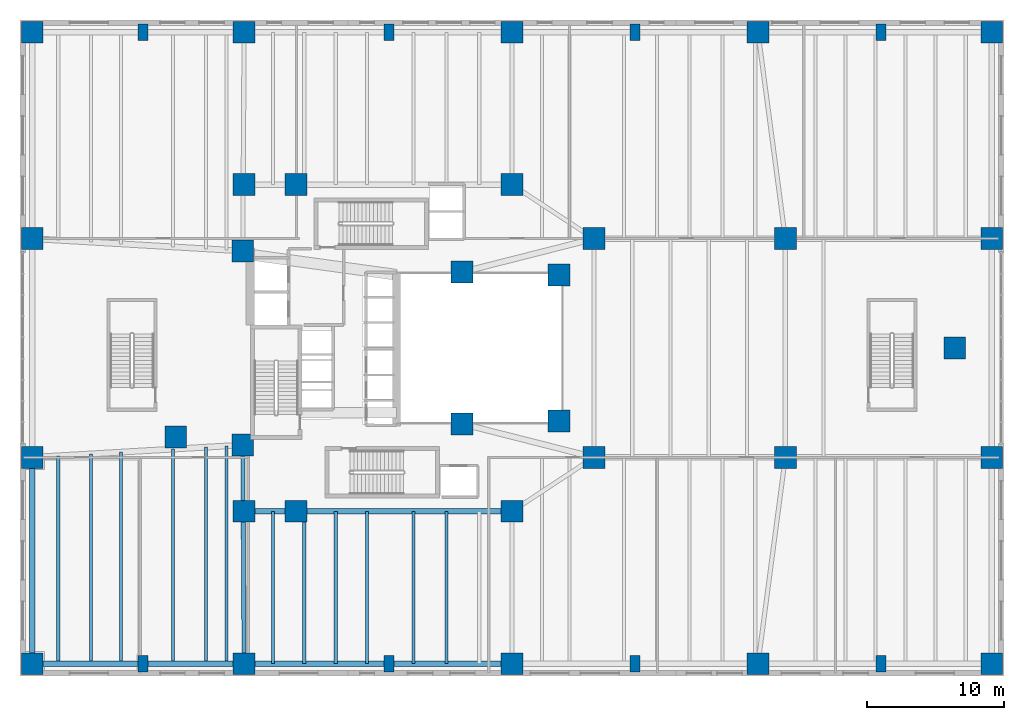
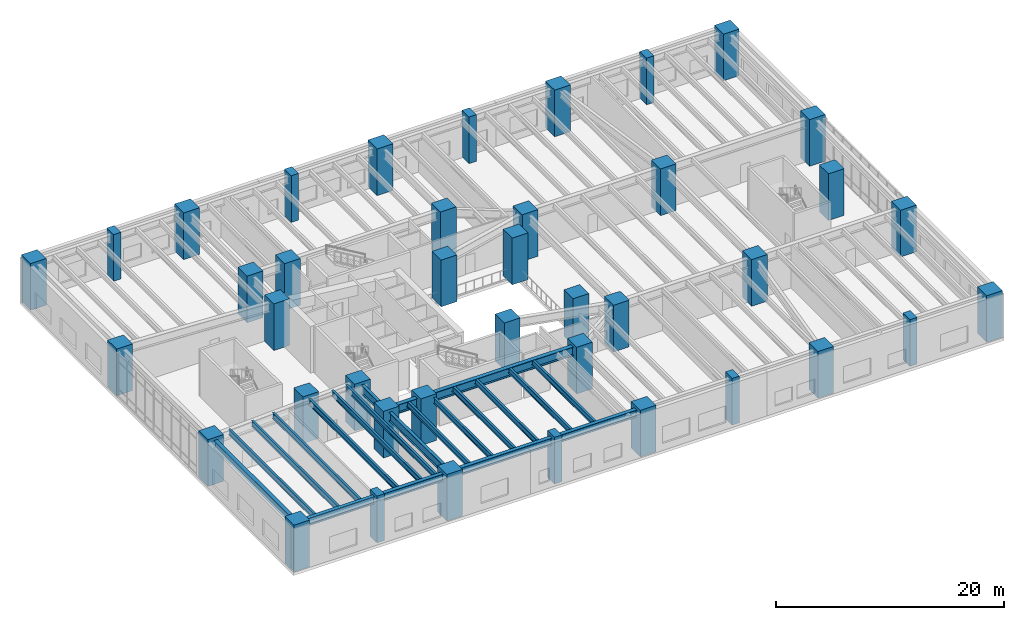
# One storey, part 1 of 18: 40 columns, 19 beams.
"""IFC4 building model written with IfcOpenShell, lengths in metres."""

from ifc_helpers import new_model, si_unit, direction, frame, origin, origin_2d, place, context, subcontext, project, spatial, rectangle, i_section, extrude, material, material_profile, profile_set, type_object, element, save


model = new_model("IFC4")

# Units and contexts
model_context = context("Model", 3, precision=1e-05, world=origin(), true_north=direction((0.0, 1.0)))
body_context = subcontext(model_context, "Body", "Model", "MODEL_VIEW")
ifc_project = project(units=[si_unit("LENGTHUNIT", "METRE"), si_unit("AREAUNIT", "SQUARE_METRE"), si_unit("VOLUMEUNIT", "CUBIC_METRE"), si_unit("PLANEANGLEUNIT", "RADIAN"), si_unit("MASSUNIT", "GRAM", prefix="KILO"), si_unit("THERMODYNAMICTEMPERATUREUNIT", "KELVIN"), si_unit("POWERUNIT", "WATT")], contexts=[model_context])

# Site, building, storey
site_placement = place(None, origin())
site = spatial("IfcSite", under=ifc_project, at=site_placement, CompositionType="ELEMENT")
building_placement = place(site_placement, origin())
building = spatial("IfcBuilding", under=site, at=building_placement, Name="Skarre Station Tower", CompositionType="ELEMENT")
storey_placement = place(building_placement, frame((0.0, 0.0, 11.0)))
storey = spatial("IfcBuildingStorey", under=building, at=storey_placement, Name="L03", CompositionType="ELEMENT", Elevation=11.0)

# Columns
ifc_material_1 = material(Name="Concrete C70/85", Category="concrete")
ifc_material_profile_1 = material_profile(ifc_material_1, rectangle(XDim=1.60009765625, YDim=1.60009765625, at=origin_2d()), Name="Concrete C70/85")
ifc_profile_set_1 = profile_set([ifc_material_profile_1], Name="Concrete C70/85")
column_type_1 = type_object("IfcColumnType", Name="RC Structural Column RC-COL-1600X1600", PredefinedType="COLUMN", material=ifc_profile_set_1)
for number, where, z_axis, x_axis, name in (
    (1, (16.300048828125, 16.89990234375, 0.0), (0.0, 0.0, 1.0), (1.0, 0.0, 0.0), "L03 Core Column CC-SW"),
    (2, (16.300048828125, 31.10009765625, 0.0), (0.0, 0.0, 1.0), (1.0, 0.0, 0.0), "L03 Core Column CC-NW"),
    (3, (32.35009765625, 18.449951171875, 0.0), (0.0, 0.0, 1.0), (1.0, 0.0, 0.0), "L03 Core Column CC-SE"),
    (4, (32.35009765625, 29.550048828125, 0.0), (0.0, 0.0, 1.0), (1.0, 0.0, 0.0), "L03 Core Column CC-NE"),
    (5, (0.89990234375, 0.89990234375, 0.0), (0.0, 0.0, 1.0), (1.0, 0.0, 0.0), "L03 Station Concourse Mega-Column PM01"),
    (6, (71.10009765625, 0.89990234375, 0.0), (0.0, 0.0, 1.0), (1.0, 0.0, 0.0), "L03 Station Concourse Mega-Column PM02"),
    (7, (0.89990234375, 47.10009765625, 0.0), (0.0, 0.0, 1.0), (1.0, 0.0, 0.0), "L03 Station Concourse Mega-Column PM03"),
    (8, (71.10009765625, 47.10009765625, 0.0), (0.0, 0.0, 1.0), (1.0, 0.0, 0.0), "L03 Station Concourse Mega-Column PM04"),
    (9, (16.39990234375, 0.89990234375, 0.0), (0.0, 0.0, 1.0), (1.0, 0.0, 0.0), "L03 Station Concourse Mega-Column PM05"),
    (10, (36.0, 0.89990234375, 0.0), (0.0, 0.0, 1.0), (1.0, 0.0, 0.0), "L03 Station Concourse Mega-Column PM06"),
    (11, (54.0, 0.89990234375, 0.0), (0.0, 0.0, 1.0), (1.0, 0.0, 0.0), "L03 Station Concourse Mega-Column PM07"),
    (12, (16.39990234375, 47.10009765625, 0.0), (0.0, 0.0, 1.0), (1.0, 0.0, 0.0), "L03 Station Concourse Mega-Column PM08"),
    (13, (36.0, 47.10009765625, 0.0), (0.0, 0.0, 1.0), (1.0, 0.0, 0.0), "L03 Station Concourse Mega-Column PM09"),
    (14, (54.0, 47.10009765625, 0.0), (0.0, 0.0, 1.0), (1.0, 0.0, 0.0), "L03 Station Concourse Mega-Column PM10"),
    (15, (0.89990234375, 16.0, 0.0), (0.0, 0.0, 1.0), (1.0, 0.0, 0.0), "L03 Station Concourse Mega-Column PM11"),
    (16, (0.89990234375, 32.0, 0.0), (0.0, 0.0, 1.0), (1.0, 0.0, 0.0), "L03 Station Concourse Mega-Column PM12"),
    (17, (71.10009765625, 16.0, 0.0), (0.0, 0.0, 1.0), (1.0, 0.0, 0.0), "L03 Station Concourse Mega-Column PM13"),
    (18, (71.10009765625, 32.0, 0.0), (0.0, 0.0, 1.0), (1.0, 0.0, 0.0), "L03 Station Concourse Mega-Column PM14"),
    (19, (42.0, 16.0, 0.0), (0.0, 0.0, 1.0), (1.0, 0.0, 0.0), "L03 Station Concourse Mega-Column PM15"),
    (20, (42.0, 32.0, 0.0), (0.0, 0.0, 1.0), (1.0, 0.0, 0.0), "L03 Station Concourse Mega-Column PM16"),
    (21, (56.0, 16.0, 0.0), (0.0, 0.0, 1.0), (1.0, 0.0, 0.0), "L03 Station Concourse Mega-Column PM17"),
    (22, (56.0, 32.0, 0.0), (0.0, 0.0, 1.0), (1.0, 0.0, 0.0), "L03 Station Concourse Mega-Column PM18"),
    (23, (11.39990234375, 17.5, 0.0), (0.0, 0.0, 1.0), (1.0, 0.0, 0.0), "L03 Station Concourse Mega-Column PM19"),
    (24, (68.39990234375, 24.0, 0.0), (0.0, 0.0, 1.0), (1.0, 0.0, 0.0), "L03 Station Concourse Mega-Column PM20"),
    (25, (20.199951171875, 35.949951171875, 0.0), (0.0, 0.0, 1.0), (1.0, 0.0, 0.0), "L03 Station Concourse Mega-Column PM21"),
    (26, (20.199951171875, 12.050048828125, 0.0), (0.0, 0.0, 1.0), (1.0, 0.0, 0.0), "L03 Station Concourse Mega-Column PM22"),
    (27, (16.39990234375, 12.050048828125, 0.0), (0.0, 0.0, 1.0), (1.0, 0.0, 0.0), "L03 Station Concourse Mega-Column PM23"),
    (28, (36.0, 12.050048828125, 0.0), (0.0, 0.0, 1.0), (1.0, 0.0, 0.0), "L03 Station Concourse Mega-Column PM24"),
    (29, (16.39990234375, 35.949951171875, 0.0), (0.0, 0.0, 1.0), (1.0, 0.0, 0.0), "L03 Station Concourse Mega-Column PM25"),
    (30, (36.0, 35.949951171875, 0.0), (0.0, 0.0, 1.0), (1.0, 0.0, 0.0), "L03 Station Concourse Mega-Column PM26"),
    (31, (39.449951171875, 18.64990234375, 0.0), (0.0, 0.0, 1.0), (1.0, 0.0, 0.0), "L03 Station Concourse Mega-Column PM27"),
    (32, (39.449951171875, 29.35009765625, 0.0), (0.0, 0.0, 1.0), (1.0, 0.0, 0.0), "L03 Station Concourse Mega-Column PM28"),
):
    element("IfcColumn", number, at=place(storey_placement, frame(where, z_axis=z_axis, x_axis=x_axis)), inside=storey, type_object=column_type_1, Name=name, PredefinedType="COLUMN", context=body_context, shape_type="SweptSolid", body=[
        extrude(rectangle(XDim=1.60009765625, YDim=1.60009765625, at=origin_2d()), origin(), (0.0, 0.0, 1.0), 5.0),
    ])
ifc_material_2 = material(Name="Concrete C60/75", Category="concrete")
ifc_material_profile_2 = material_profile(ifc_material_2, rectangle(XDim=0.75, YDim=1.199951171875, at=origin_2d()), Name="Concrete C60/75")
ifc_profile_set_2 = profile_set([ifc_material_profile_2], Name="Concrete C60/75")
column_type_2 = type_object("IfcColumnType", Name="RC Structural Pilaster RC-PIER-1200X750", PredefinedType="PILASTER", material=ifc_profile_set_2)
for number, where, z_axis, x_axis, name in (
    (33, (9.0, 0.89990234375, 0.0), (0.0, 0.0, 1.0), (1.0, 0.0, 0.0), "L03 Concourse Facade Pilaster P1"),
    (34, (27.0, 0.89990234375, 0.0), (0.0, 0.0, 1.0), (1.0, 0.0, 0.0), "L03 Concourse Facade Pilaster P2"),
    (35, (45.0, 0.89990234375, 0.0), (0.0, 0.0, 1.0), (1.0, 0.0, 0.0), "L03 Concourse Facade Pilaster P3"),
    (36, (63.0, 0.89990234375, 0.0), (0.0, 0.0, 1.0), (1.0, 0.0, 0.0), "L03 Concourse Facade Pilaster P4"),
    (37, (9.0, 47.10009765625, 0.0), (0.0, 0.0, 1.0), (1.0, 0.0, 0.0), "L03 Concourse Facade Pilaster P5"),
    (38, (27.0, 47.10009765625, 0.0), (0.0, 0.0, 1.0), (1.0, 0.0, 0.0), "L03 Concourse Facade Pilaster P6"),
    (39, (45.0, 47.10009765625, 0.0), (0.0, 0.0, 1.0), (1.0, 0.0, 0.0), "L03 Concourse Facade Pilaster P7"),
    (40, (63.0, 47.10009765625, 0.0), (0.0, 0.0, 1.0), (1.0, 0.0, 0.0), "L03 Concourse Facade Pilaster P8"),
):
    element("IfcColumn", number, at=place(storey_placement, frame(where, z_axis=z_axis, x_axis=x_axis)), inside=storey, type_object=column_type_2, Name=name, PredefinedType="PILASTER", context=body_context, shape_type="SweptSolid", body=[
        extrude(rectangle(XDim=0.75, YDim=1.199951171875, at=origin_2d()), origin(), (0.0, 0.0, 1.0), 5.0),
    ])

# Beams
ifc_material_3 = material(Name="Steel ASTM A992 Grade 50", Category="steel")
ifc_material_profile_3 = material_profile(ifc_material_3, i_section(OverallWidth=0.30810546875, OverallDepth=0.927001953125, WebThickness=0.01904296875, FlangeThickness=0.031982421875, at=origin_2d()), Name="Steel ASTM A992 Grade 50")
ifc_profile_set_3 = profile_set([ifc_material_profile_3], Name="Steel ASTM A992 Grade 50")
beam_type_1 = type_object("IfcBeamType", Name="Steel Beam W36X194", PredefinedType="BEAM", material=ifc_profile_set_3)
beam_1_placement = place(storey_placement, frame((16.39990234375, 0.89990234375, 4.22607421875), z_axis=(-0.006240723195, 0.999980526497, 0.0), x_axis=(-0.999980526497, -0.006240723195, 0.0)))
element("IfcBeam", 41, at=beam_1_placement, inside=storey, type_object=beam_type_1, Name="L03 Concourse Transverse Girder NS1", PredefinedType="BEAM", context=body_context, shape_type="SweptSolid", body=[
    extrude(i_section(OverallWidth=0.30810546875, OverallDepth=0.927001953125, WebThickness=0.01904296875, FlangeThickness=0.031982421875, at=origin_2d()), origin(), (0.0, 0.0, 1.0), 16.000244140625),
])
ifc_material_profile_4 = material_profile(ifc_material_3, i_section(OverallWidth=0.423095703125, OverallDepth=0.947998046875, WebThickness=0.02392578125, FlangeThickness=0.04296875, at=origin_2d()), Name="Steel ASTM A992 Grade 50")
ifc_profile_set_4 = profile_set([ifc_material_profile_4], Name="Steel ASTM A992 Grade 50")
beam_type_2 = type_object("IfcBeamType", Name="Steel Beam W36X302", PredefinedType="BEAM", material=ifc_profile_set_4)
beam_2_placement = place(storey_placement, frame((16.39990234375, 12.050048828125, 4.216064453125), z_axis=(1.0, 0.0, 0.0), x_axis=(0.0, 1.0, 0.0)))
element("IfcBeam", 42, at=beam_2_placement, inside=storey, type_object=beam_type_2, Name="L03 Concourse Primary Girder HDRS", PredefinedType="BEAM", context=body_context, shape_type="SweptSolid", body=[
    extrude(i_section(OverallWidth=0.423095703125, OverallDepth=0.947998046875, WebThickness=0.02392578125, FlangeThickness=0.04296875, at=origin_2d()), origin(), (0.0, 0.0, 1.0), 19.60009765625),
])
ifc_material_profile_5 = material_profile(ifc_material_3, i_section(OverallWidth=0.22802734375, OverallDepth=0.60791015625, WebThickness=0.010986328125, FlangeThickness=0.01708984375, at=origin_2d()), Name="Steel ASTM A992 Grade 50")
ifc_profile_set_5 = profile_set([ifc_material_profile_5], Name="Steel ASTM A992 Grade 50")
beam_type_3 = type_object("IfcBeamType", Name="Steel Joist W24X76", PredefinedType="JOIST", material=ifc_profile_set_5)
beam_3_placement = place(storey_placement, frame((2.800048828125, 0.89990234375, 4.385986328125), z_axis=(0.0, 1.0, 0.0), x_axis=(-1.0, 0.0, 0.0)))
element("IfcBeam", 43, at=beam_3_placement, inside=storey, type_object=beam_type_3, Name="L03 South Bay Joist 1", PredefinedType="JOIST", context=body_context, shape_type="SweptSolid", body=[
    extrude(i_section(OverallWidth=0.22802734375, OverallDepth=0.60791015625, WebThickness=0.010986328125, FlangeThickness=0.01708984375, at=origin_2d()), origin(), (0.0, 0.0, 1.0), 15.211181640625),
])
beam_4_placement = place(storey_placement, frame((5.199951171875, 0.89990234375, 4.385986328125), z_axis=(0.0, 1.0, 0.0), x_axis=(-1.0, 0.0, 0.0)))
element("IfcBeam", 44, at=beam_4_placement, inside=storey, type_object=beam_type_3, Name="L03 South Bay Joist 2", PredefinedType="JOIST", context=body_context, shape_type="SweptSolid", body=[
    extrude(i_section(OverallWidth=0.22802734375, OverallDepth=0.60791015625, WebThickness=0.010986328125, FlangeThickness=0.01708984375, at=origin_2d()), origin(), (0.0, 0.0, 1.0), 15.35107421875),
])
beam_5_placement = place(storey_placement, frame((7.39990234375, 0.89990234375, 4.385986328125), z_axis=(0.0, 1.0, 0.0), x_axis=(-1.0, 0.0, 0.0)))
element("IfcBeam", 45, at=beam_5_placement, inside=storey, type_object=beam_type_3, Name="L03 South Bay Joist 3", PredefinedType="JOIST", context=body_context, shape_type="SweptSolid", body=[
    extrude(i_section(OverallWidth=0.22802734375, OverallDepth=0.60791015625, WebThickness=0.010986328125, FlangeThickness=0.01708984375, at=origin_2d()), origin(), (0.0, 0.0, 1.0), 15.47998046875),
])
beam_6_placement = place(storey_placement, frame((11.199951171875, 0.89990234375, 4.385986328125), z_axis=(0.0, 1.0, 0.0), x_axis=(-1.0, 0.0, 0.0)))
element("IfcBeam", 46, at=beam_6_placement, inside=storey, type_object=beam_type_3, Name="L03 South Bay Joist 4", PredefinedType="JOIST", context=body_context, shape_type="SweptSolid", body=[
    extrude(i_section(OverallWidth=0.22802734375, OverallDepth=0.60791015625, WebThickness=0.010986328125, FlangeThickness=0.01708984375, at=origin_2d()), origin(), (0.0, 0.0, 1.0), 15.7021484375),
])
beam_7_placement = place(storey_placement, frame((13.60009765625, 0.89990234375, 4.385986328125), z_axis=(0.0, 1.0, 0.0), x_axis=(-1.0, 0.0, 0.0)))
element("IfcBeam", 47, at=beam_7_placement, inside=storey, type_object=beam_type_3, Name="L03 South Bay Joist 5", PredefinedType="JOIST", context=body_context, shape_type="SweptSolid", body=[
    extrude(i_section(OverallWidth=0.22802734375, OverallDepth=0.60791015625, WebThickness=0.010986328125, FlangeThickness=0.01708984375, at=origin_2d()), origin(), (0.0, 0.0, 1.0), 15.842041015625),
])
beam_8_placement = place(storey_placement, frame((15.10009765625, 0.89990234375, 4.385986328125), z_axis=(0.0, 1.0, 0.0), x_axis=(-1.0, 0.0, 0.0)))
element("IfcBeam", 48, at=beam_8_placement, inside=storey, type_object=beam_type_3, Name="L03 South Bay Joist 6", PredefinedType="JOIST", context=body_context, shape_type="SweptSolid", body=[
    extrude(i_section(OverallWidth=0.22802734375, OverallDepth=0.60791015625, WebThickness=0.010986328125, FlangeThickness=0.01708984375, at=origin_2d()), origin(), (0.0, 0.0, 1.0), 15.93017578125),
])
for number, where, z_axis, x_axis, name in (
    (49, (18.5, 0.89990234375, 4.385986328125), (0.0, 1.0, 0.0), (-1.0, 0.0, 0.0), "L03 South Bay Joist 7"),
    (50, (20.800048828125, 0.89990234375, 4.385986328125), (0.0, 1.0, 0.0), (-1.0, 0.0, 0.0), "L03 South Bay Joist 8"),
    (51, (23.10009765625, 0.89990234375, 4.385986328125), (0.0, 1.0, 0.0), (-1.0, 0.0, 0.0), "L03 South Bay Joist 9"),
    (52, (25.39990234375, 0.89990234375, 4.385986328125), (0.0, 1.0, 0.0), (-1.0, 0.0, 0.0), "L03 South Bay Joist 10"),
    (53, (28.800048828125, 0.89990234375, 4.385986328125), (0.0, 1.0, 0.0), (-1.0, 0.0, 0.0), "L03 South Bay Joist 11"),
    (54, (31.199951171875, 0.89990234375, 4.385986328125), (0.0, 1.0, 0.0), (-1.0, 0.0, 0.0), "L03 South Bay Joist 12"),
):
    element("IfcBeam", number, at=place(storey_placement, frame(where, z_axis=z_axis, x_axis=x_axis)), inside=storey, type_object=beam_type_3, Name=name, PredefinedType="JOIST", context=body_context, shape_type="SweptSolid", body=[
        extrude(i_section(OverallWidth=0.22802734375, OverallDepth=0.60791015625, WebThickness=0.010986328125, FlangeThickness=0.01708984375, at=origin_2d()), origin(), (0.0, 0.0, 1.0), 11.150146484375),
    ])
ifc_material_profile_6 = material_profile(ifc_material_3, i_section(OverallWidth=0.384033203125, OverallDepth=0.785888671875, WebThickness=0.02001953125, FlangeThickness=0.032958984375, at=origin_2d()), Name="Steel ASTM A992 Grade 50")
ifc_profile_set_6 = profile_set([ifc_material_profile_6], Name="Steel ASTM A992 Grade 50")
beam_type_4 = type_object("IfcBeamType", Name="Steel Spandrel W30X211", PredefinedType="SPANDREL", material=ifc_profile_set_6)
beam_9_placement = place(storey_placement, frame((0.89990234375, 0.89990234375, 4.297119140625), z_axis=(1.0, 0.0, 0.0), x_axis=(0.0, 1.0, 0.0)))
element("IfcBeam", 55, at=beam_9_placement, inside=storey, type_object=beam_type_4, Name="L03 South Podium Spandrel 1", PredefinedType="SPANDREL", context=body_context, shape_type="SweptSolid", body=[
    extrude(i_section(OverallWidth=0.384033203125, OverallDepth=0.785888671875, WebThickness=0.02001953125, FlangeThickness=0.032958984375, at=origin_2d()), origin(), (0.0, 0.0, 1.0), 8.10009765625),
])
beam_10_placement = place(storey_placement, frame((9.0, 0.89990234375, 4.297119140625), z_axis=(1.0, 0.0, 0.0), x_axis=(0.0, 1.0, 0.0)))
element("IfcBeam", 56, at=beam_10_placement, inside=storey, type_object=beam_type_4, Name="L03 South Podium Spandrel 2", PredefinedType="SPANDREL", context=body_context, shape_type="SweptSolid", body=[
    extrude(i_section(OverallWidth=0.384033203125, OverallDepth=0.785888671875, WebThickness=0.02001953125, FlangeThickness=0.032958984375, at=origin_2d()), origin(), (0.0, 0.0, 1.0), 7.39990234375),
])
beam_11_placement = place(storey_placement, frame((16.39990234375, 0.89990234375, 4.297119140625), z_axis=(1.0, 0.0, 0.0), x_axis=(0.0, 1.0, 0.0)))
element("IfcBeam", 57, at=beam_11_placement, inside=storey, type_object=beam_type_4, Name="L03 South Podium Spandrel 3", PredefinedType="SPANDREL", context=body_context, shape_type="SweptSolid", body=[
    extrude(i_section(OverallWidth=0.384033203125, OverallDepth=0.785888671875, WebThickness=0.02001953125, FlangeThickness=0.032958984375, at=origin_2d()), origin(), (0.0, 0.0, 1.0), 10.60009765625),
])
beam_12_placement = place(storey_placement, frame((27.0, 0.89990234375, 4.297119140625), z_axis=(1.0, 0.0, 0.0), x_axis=(0.0, 1.0, 0.0)))
element("IfcBeam", 58, at=beam_12_placement, inside=storey, type_object=beam_type_4, Name="L03 South Podium Spandrel 4", PredefinedType="SPANDREL", context=body_context, shape_type="SweptSolid", body=[
    extrude(i_section(OverallWidth=0.384033203125, OverallDepth=0.785888671875, WebThickness=0.02001953125, FlangeThickness=0.032958984375, at=origin_2d()), origin(), (0.0, 0.0, 1.0), 9.0),
])
beam_13_placement = place(storey_placement, frame((0.89990234375, 0.89990234375, 4.297119140625), z_axis=(0.0, 1.0, 0.0), x_axis=(-1.0, 0.0, 0.0)))
element("IfcBeam", 59, at=beam_13_placement, inside=storey, type_object=beam_type_4, Name="L03 West Podium Spandrel 1", PredefinedType="SPANDREL", context=body_context, shape_type="SweptSolid", body=[
    extrude(i_section(OverallWidth=0.384033203125, OverallDepth=0.785888671875, WebThickness=0.02001953125, FlangeThickness=0.032958984375, at=origin_2d()), origin(), (0.0, 0.0, 1.0), 15.10009765625),
])

save(model, "model.ifc")
